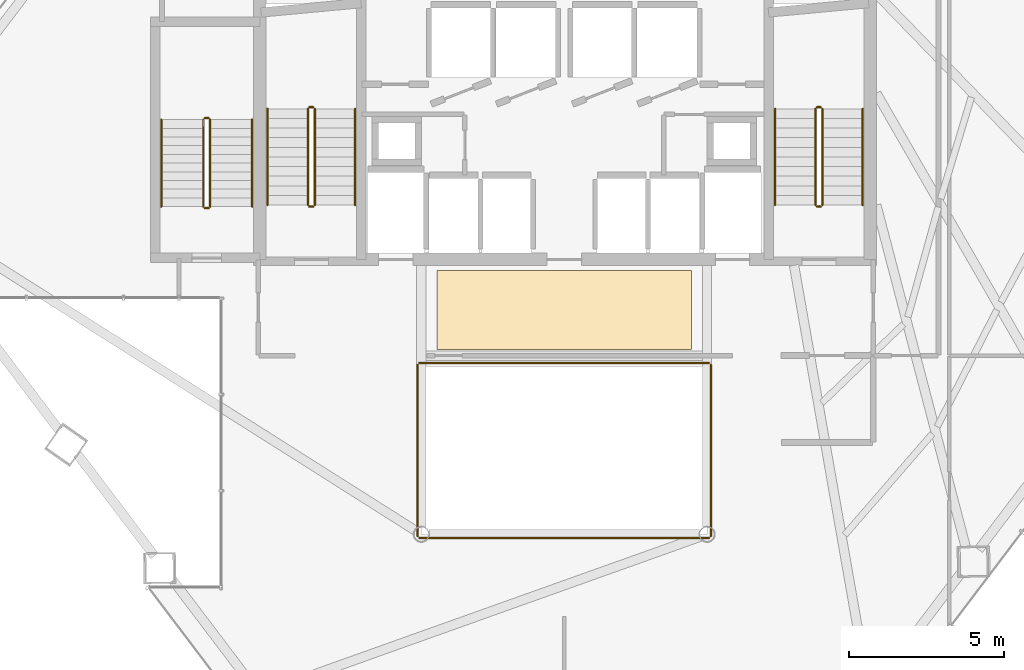
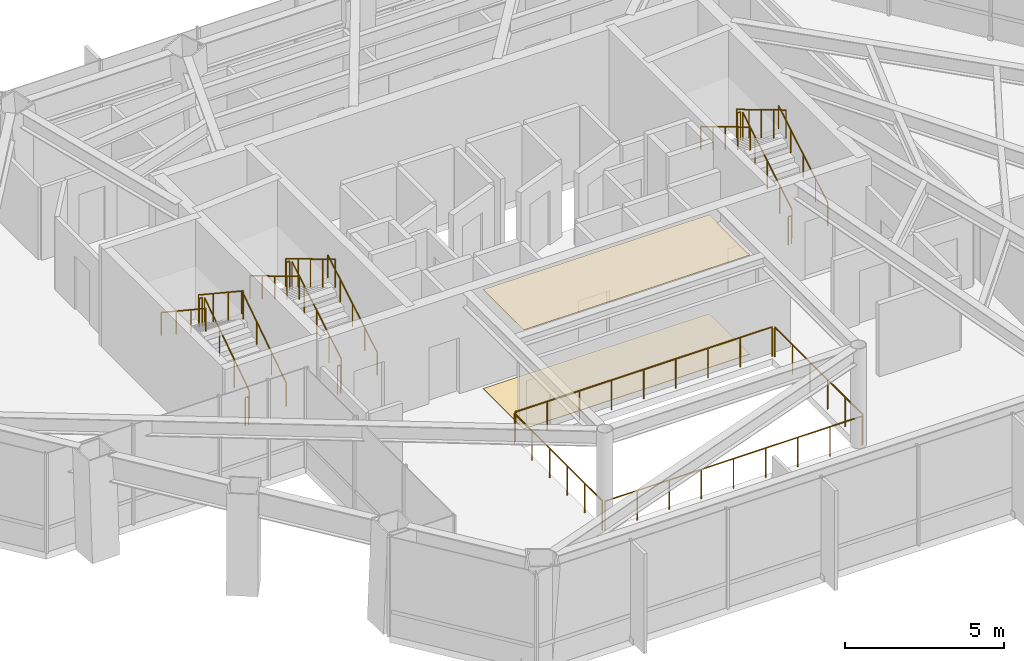
# One storey, part 24 of 24: 22 railings, 2 coverings.
"""IFC4 building model written with IfcOpenShell, lengths in metres."""

import ifcopenshell
import ifcopenshell.guid

model = None  # the IFC model being written
_history = None  # IfcOwnerHistory: only IFC2X3 demands one
_inside = {}  # id of a spatial element -> (the spatial element, [elements in it])
_under = {}  # id of a project, library or spatial element -> (it, [spatial elements below it])
_declared = {}  # id of a project -> (the project, [libraries it declares])
_typed = {}  # id of a type object -> (the type object, [elements of that type])
_made_of = {}  # id of a material, layer set ... -> (it, [elements and type objects made of it])


def new_model(schema):
    """Start an empty IFC model of exactly this schema.

    Asked for "IFC4X3", IfcOpenShell would pick the latest addendum, in which some entities
    have other attributes; the version numbers below select the first issue.
    IFC2X3 requires an IfcOwnerHistory on every rooted entity: one is made here for all.
    """
    global model, _history
    if schema == "IFC4X3":
        model = ifcopenshell.file(schema_version=(4, 3, 0, 0))
    else:
        model = ifcopenshell.file(schema=schema)
    _inside.clear()
    _under.clear()
    _declared.clear()
    _typed.clear()
    _made_of.clear()
    _history = None
    if model.schema == "IFC2X3":
        org = make("IfcOrganization", Name="unknown")
        user = make(
            "IfcPersonAndOrganization",
            ThePerson=make("IfcPerson", FamilyName="unknown"),
            TheOrganization=org,
        )
        app = make(
            "IfcApplication",
            ApplicationDeveloper=org,
            Version="unknown",
            ApplicationFullName="unknown",
            ApplicationIdentifier="unknown",
        )
        _history = make(
            "IfcOwnerHistory",
            OwningUser=user,
            OwningApplication=app,
            ChangeAction="ADDED",
            CreationDate=0,
        )
    return model


def make(cls, **values):
    """One entity of the class cls with the attributes given. An attribute that is None is left unset."""
    return model.create_entity(
        cls, **{name: value for name, value in values.items() if value is not None}
    )


def rooted(cls, **values):
    """An entity with a GlobalId (a new one), such as an element, a storey or a relation."""
    return make(cls, GlobalId=ifcopenshell.guid.new(), OwnerHistory=_history, **values)


def si_unit(unit_type, name, prefix=None):
    """IfcSIUnit, for example si_unit("LENGTHUNIT", "METRE", prefix="MILLI")."""
    return make("IfcSIUnit", UnitType=unit_type, Prefix=prefix, Name=name)


def assignment(units):
    """IfcUnitAssignment: the units of a project."""
    return None if units is None else make("IfcUnitAssignment", Units=units)


def point(xyz):
    """IfcCartesianPoint."""
    return None if xyz is None else make("IfcCartesianPoint", Coordinates=xyz)


def direction(xyz):
    """IfcDirection."""
    return None if xyz is None else make("IfcDirection", DirectionRatios=xyz)


def frame(location, z_axis=None, x_axis=None):
    """IfcAxis2Placement3D, a coordinate frame: its origin and axes. An axis left out is left unset."""
    return make(
        "IfcAxis2Placement3D",
        Location=point(location),
        Axis=direction(z_axis),
        RefDirection=direction(x_axis),
    )


def frame_2d(location, x_axis=None):
    """IfcAxis2Placement2D, a coordinate frame in the plane: its origin and x axis."""
    return make(
        "IfcAxis2Placement2D", Location=point(location), RefDirection=direction(x_axis)
    )


def origin():
    """The frame at (0, 0, 0) with its axes left unset."""
    return frame((0.0, 0.0, 0.0))


def origin_2d():
    """The frame at (0, 0) in the plane with its x axis left unset."""
    return frame_2d((0.0, 0.0))


def place(relative_to, where):
    """IfcLocalPlacement: puts the frame where relative to a parent placement (None: the world)."""
    return make(
        "IfcLocalPlacement", PlacementRelTo=relative_to, RelativePlacement=where
    )


def context(
    kind, dimensions, precision=None, world=None, true_north=None, identifier=None
):
    """IfcGeometricRepresentationContext, for example the 3D "Model" context."""
    return make(
        "IfcGeometricRepresentationContext",
        ContextIdentifier=identifier,
        ContextType=kind,
        CoordinateSpaceDimension=dimensions,
        Precision=precision,
        WorldCoordinateSystem=world,
        TrueNorth=true_north,
    )


def subcontext(parent, identifier, kind, view, scale=None):
    """IfcGeometricRepresentationSubContext, for example "Body" below "Model"."""
    return make(
        "IfcGeometricRepresentationSubContext",
        ContextIdentifier=identifier,
        ContextType=kind,
        ParentContext=parent,
        TargetScale=scale,
        TargetView=view,
    )


def project(units=None, contexts=None):
    """IfcProject with its units and contexts."""
    return rooted(
        "IfcProject",
        Name="project",
        RepresentationContexts=contexts,
        UnitsInContext=assignment(units),
    )


def spatial(cls, under=None, at=None, **own):
    """A site, building, storey or space (cls), placed at a placement, below another one or the project."""
    s = rooted(cls, ObjectPlacement=at, **own)
    if under is not None:
        _under.setdefault(under.id(), (under, []))[1].append(s)
    return s


def polyline(points):
    """IfcPolyline through the points."""
    return make("IfcPolyline", Points=[point(p) for p in points])


def profile(cls, at=None, kind="AREA", **sizes):
    """A parametric profile (cls). Its sizes go by their IFC names, for example OverallWidth=200.0."""
    return make(cls, ProfileType=kind, Position=at, **sizes)


def circle(**sizes):
    """IfcCircleProfileDef."""
    return profile("IfcCircleProfileDef", **sizes)


def outline(outer, holes=None, kind="AREA"):
    """IfcArbitraryClosedProfileDef: a profile drawn as a closed curve; with holes, ...WithVoids."""
    if holes is None:
        return make("IfcArbitraryClosedProfileDef", ProfileType=kind, OuterCurve=outer)
    return make(
        "IfcArbitraryProfileDefWithVoids",
        ProfileType=kind,
        OuterCurve=outer,
        InnerCurves=holes,
    )


def extrude(swept, where, along, depth):
    """IfcExtrudedAreaSolid: the profile swept, set in the frame where, extruded along a direction by depth."""
    return make(
        "IfcExtrudedAreaSolid",
        SweptArea=swept,
        Position=where,
        ExtrudedDirection=direction(along),
        Depth=depth,
    )


def shape(context_of_items, identifier, shape_type, items):
    """IfcShapeRepresentation: the items that make up one representation, for example the "Body"."""
    return make(
        "IfcShapeRepresentation",
        ContextOfItems=context_of_items,
        RepresentationIdentifier=identifier,
        RepresentationType=shape_type,
        Items=items,
    )


def material(Name=None, Category=None):
    """IfcMaterial."""
    return make("IfcMaterial", Name=Name, Category=Category)


def layer(
    of_material, thickness, ventilated=None, Name=None, Category=None, Priority=None
):
    """IfcMaterialLayer: one layer of a wall or slab, of a material (None: an air gap)."""
    return make(
        "IfcMaterialLayer",
        Material=of_material,
        LayerThickness=thickness,
        IsVentilated=ventilated,
        Name=Name,
        Category=Category,
        Priority=Priority,
    )


def layer_set(layers, Name=None):
    """IfcMaterialLayerSet."""
    return make("IfcMaterialLayerSet", MaterialLayers=layers, LayerSetName=Name)


def made_of(thing, what):
    """Note that an element or type object is made of a material, layer set ...; save() writes the relation."""
    if what is not None:
        _made_of.setdefault(what.id(), (what, []))[1].append(thing)
    return thing


def type_object(cls, material=None, **own):
    """A type object (cls), such as IfcWallType, which elements share."""
    return made_of(rooted(cls, **own), material)


def element(
    cls,
    number,
    at=None,
    inside=None,
    cuts=None,
    type_object=None,
    material=None,
    context=None,
    identifier="Body",
    shape_type=None,
    held_by="IfcProductDefinitionShape",
    body=None,
    shapes=None,
    **own,
):
    """One element of the class cls, such as IfcWall. Its Tag is "e" and its number.

    at: its placement. inside: the storey or other place that contains it. cuts: it is an
    opening in that element (IfcRelVoidsElement). A single representation is given by context,
    identifier, shape_type and body (its items); several are given by shapes. held_by: the class
    of the entity that holds the representations. save() writes the other relations.
    """
    e = rooted(cls, Tag="e%d" % number, ObjectPlacement=at, **own)
    if body is not None:
        shapes = [shape(context, identifier, shape_type, body)]
    if shapes is not None:
        e.Representation = make(held_by, Representations=shapes)
    if inside is not None:
        _inside.setdefault(inside.id(), (inside, []))[1].append(e)
    if cuts is not None:
        rooted(
            "IfcRelVoidsElement", RelatingBuildingElement=cuts, RelatedOpeningElement=e
        )
    if type_object is not None:
        _typed.setdefault(type_object.id(), (type_object, []))[1].append(e)
    return made_of(e, material)


def aggregate(whole, parts):
    """IfcRelAggregates: a whole, such as a stair, and the parts it consists of."""
    return rooted("IfcRelAggregates", RelatingObject=whole, RelatedObjects=parts)


def save(model, path):
    """Write the relations noted so far, then the file.

    IfcRelAggregates (storeys below a building ...), IfcRelContainedInSpatialStructure (elements
    in a storey), IfcRelDefinesByType, IfcRelAssociatesMaterial and IfcRelDeclares: one each for
    every whole, place, type object, material and project.
    """
    for whole, parts in _under.values():
        aggregate(whole, parts)
    for where, things in _inside.values():
        rooted(
            "IfcRelContainedInSpatialStructure",
            RelatedElements=things,
            RelatingStructure=where,
        )
    for kind, things in _typed.values():
        rooted("IfcRelDefinesByType", RelatedObjects=things, RelatingType=kind)
    for what, things in _made_of.values():
        rooted("IfcRelAssociatesMaterial", RelatedObjects=things, RelatingMaterial=what)
    for by, libraries in _declared.values():
        rooted("IfcRelDeclares", RelatingContext=by, RelatedDefinitions=libraries)
    model.write(path)


model = new_model("IFC4")

# Units and contexts
model_context = context("Model", 3, precision=1e-05, world=origin(), true_north=direction((0.0, 1.0)))
body_context = subcontext(model_context, "Body", "Model", "MODEL_VIEW")
ifc_project = project(units=[si_unit("LENGTHUNIT", "METRE"), si_unit("AREAUNIT", "SQUARE_METRE"), si_unit("VOLUMEUNIT", "CUBIC_METRE"), si_unit("PLANEANGLEUNIT", "RADIAN"), si_unit("MASSUNIT", "GRAM", prefix="KILO")], contexts=[model_context])

# Site, building, storey
site_placement = place(None, origin())
site = spatial("IfcSite", under=ifc_project, at=site_placement, CompositionType="ELEMENT")
building_placement = place(site_placement, origin())
building = spatial("IfcBuilding", under=site, at=building_placement, Name="Zarrinselat Tower", CompositionType="ELEMENT")
storey_placement = place(building_placement, frame((0.0, 0.0, 68.340087890625)))
storey = spatial("IfcBuildingStorey", under=building, at=storey_placement, Name="L16", CompositionType="ELEMENT", Elevation=68.340087890625)

# Coverings
ifc_material_1 = material(Name="Fire-Rated Gypsum Board Partition")
ifc_layer_1 = layer(ifc_material_1, 0.014892578125)
ifc_layer_set_1 = layer_set([ifc_layer_1], Name="Fire-Rated Gypsum Board Partition")
covering_type_1 = type_object("IfcCoveringType", Name="COV-CLG-AC15", PredefinedType="CEILING", material=ifc_layer_set_1)
covering_1_placement = place(storey_placement, frame((0.0, 0.0, 3.804931640625)))
element("IfcCovering", 1, at=covering_1_placement, inside=storey, type_object=covering_type_1, Name="L16 Lift Lobby Acoustic Ceiling", PredefinedType="CEILING", context=body_context, shape_type="SweptSolid", body=[
    extrude(outline(polyline([(34.300048828125, 30.35009765625), (42.5, 30.35009765625), (42.5, 32.89990234375), (34.300048828125, 32.89990234375), (34.300048828125, 30.35009765625)])), origin(), (0.0, 0.0, 1.0), 0.014892578125),
])
ifc_material_2 = material(Name="Honed Cream Travertine Stone", Category="masonry")
ifc_layer_2 = layer(ifc_material_2, 0.02490234375)
ifc_layer_set_2 = layer_set([ifc_layer_2], Name="Honed Cream Travertine Stone")
covering_type_2 = type_object("IfcCoveringType", Name="COV-FLR-ST25", PredefinedType="FLOORING", material=ifc_layer_set_2)
covering_2_placement = place(storey_placement, origin())
element("IfcCovering", 2, at=covering_2_placement, inside=storey, type_object=covering_type_2, Name="L16 Lift Lobby Stone Flooring", PredefinedType="FLOORING", context=body_context, shape_type="SweptSolid", body=[
    extrude(outline(polyline([(34.300048828125, 30.35009765625), (42.5, 30.35009765625), (42.5, 32.89990234375), (34.300048828125, 32.89990234375), (34.300048828125, 30.35009765625)])), origin(), (0.0, 0.0, 1.0), 0.02490234375),
])

# Railings
ifc_material_3 = material(Name="Double Low-E Laminated Solar Glass", Category="glass")
railing_type_1 = type_object("IfcRailingType", Name="RLG-ATRIUM-BAL", PredefinedType="BALUSTRADE", material=ifc_material_3)
railing_1_placement = place(storey_placement, frame((33.739990234375, 24.280029296875, 0.0)))
element("IfcRailing", 3, at=railing_1_placement, inside=storey, type_object=railing_type_1, Name="L16 Atrium Void Glass Balustrade S", PredefinedType="BALUSTRADE", context=body_context, shape_type="SweptSolid", body=[
    extrude(circle(Radius=0.02392578125, at=origin_2d()), frame((0.0, 0.0, 1.1259765625), z_axis=(1.0, 0.0, 0.0), x_axis=(0.0, 1.0, 0.0)), (0.0, 0.0, 1.0), 9.320068359375),
    extrude(circle(Radius=0.02099609375, at=origin_2d()), origin(), (0.0, 0.0, 1.0), 1.099853515625),
    extrude(circle(Radius=0.02099609375, at=origin_2d()), frame((1.1650390625, 0.0, 0.0)), (0.0, 0.0, 1.0), 1.099853515625),
    extrude(circle(Radius=0.02099609375, at=origin_2d()), frame((2.330078125, 0.0, 0.0)), (0.0, 0.0, 1.0), 1.099853515625),
    extrude(circle(Radius=0.02099609375, at=origin_2d()), frame((3.4951171875, 0.0, 0.0)), (0.0, 0.0, 1.0), 1.099853515625),
    extrude(circle(Radius=0.02099609375, at=origin_2d()), frame((4.66015625, 0.0, 0.0)), (0.0, 0.0, 1.0), 1.099853515625),
    extrude(circle(Radius=0.02099609375, at=origin_2d()), frame((5.824951171875, 0.0, 0.0)), (0.0, 0.0, 1.0), 1.099853515625),
    extrude(circle(Radius=0.02099609375, at=origin_2d()), frame((6.989990234375, 0.0, 0.0)), (0.0, 0.0, 1.0), 1.099853515625),
    extrude(circle(Radius=0.02099609375, at=origin_2d()), frame((8.155029296875, 0.0, 0.0)), (0.0, 0.0, 1.0), 1.099853515625),
    extrude(circle(Radius=0.02099609375, at=origin_2d()), frame((9.320068359375, 0.0, 0.0)), (0.0, 0.0, 1.0), 1.099853515625),
])
railing_2_placement = place(storey_placement, frame((43.1201171875, 24.340087890625, 0.0)))
element("IfcRailing", 4, at=railing_2_placement, inside=storey, type_object=railing_type_1, Name="L16 Atrium Void Glass Balustrade E", PredefinedType="BALUSTRADE", context=body_context, shape_type="SweptSolid", body=[
    extrude(circle(Radius=0.02392578125, at=origin_2d()), frame((0.0, 0.0, 1.1259765625), z_axis=(0.0, 1.0, 0.0), x_axis=(-1.0, 0.0, 0.0)), (0.0, 0.0, 1.0), 5.52001953125),
    extrude(circle(Radius=0.02099609375, at=origin_2d()), origin(), (0.0, 0.0, 1.0), 1.099853515625),
    extrude(circle(Radius=0.02099609375, at=origin_2d()), frame((0.0, 1.10400390625, 0.0)), (0.0, 0.0, 1.0), 1.099853515625),
    extrude(circle(Radius=0.02099609375, at=origin_2d()), frame((0.0, 2.2080078125, 0.0)), (0.0, 0.0, 1.0), 1.099853515625),
    extrude(circle(Radius=0.02099609375, at=origin_2d()), frame((0.0, 3.31201171875, 0.0)), (0.0, 0.0, 1.0), 1.099853515625),
    extrude(circle(Radius=0.02099609375, at=origin_2d()), frame((0.0, 4.416015625, 0.0)), (0.0, 0.0, 1.0), 1.099853515625),
    extrude(circle(Radius=0.02099609375, at=origin_2d()), frame((0.0, 5.52001953125, 0.0)), (0.0, 0.0, 1.0), 1.099853515625),
])
railing_3_placement = place(storey_placement, frame((43.06005859375, 29.919921875, 0.0)))
element("IfcRailing", 5, at=railing_3_placement, inside=storey, type_object=railing_type_1, Name="L16 Atrium Void Glass Balustrade N", PredefinedType="BALUSTRADE", context=body_context, shape_type="SweptSolid", body=[
    extrude(circle(Radius=0.02392578125, at=origin_2d()), frame((0.0, 0.0, 1.1259765625), z_axis=(-1.0, 0.0, 0.0), x_axis=(0.0, -1.0, 0.0)), (0.0, 0.0, 1.0), 9.320068359375),
    extrude(circle(Radius=0.02099609375, at=origin_2d()), origin(), (0.0, 0.0, 1.0), 1.099853515625),
    extrude(circle(Radius=0.02099609375, at=origin_2d()), frame((-1.1650390625, 0.0, 0.0)), (0.0, 0.0, 1.0), 1.099853515625),
    extrude(circle(Radius=0.02099609375, at=origin_2d()), frame((-2.330078125, 0.0, 0.0)), (0.0, 0.0, 1.0), 1.099853515625),
    extrude(circle(Radius=0.02099609375, at=origin_2d()), frame((-3.4951171875, 0.0, 0.0)), (0.0, 0.0, 1.0), 1.099853515625),
    extrude(circle(Radius=0.02099609375, at=origin_2d()), frame((-4.66015625, 0.0, 0.0)), (0.0, 0.0, 1.0), 1.099853515625),
    extrude(circle(Radius=0.02099609375, at=origin_2d()), frame((-5.824951171875, 0.0, 0.0)), (0.0, 0.0, 1.0), 1.099853515625),
    extrude(circle(Radius=0.02099609375, at=origin_2d()), frame((-6.989990234375, 0.0, 0.0)), (0.0, 0.0, 1.0), 1.099853515625),
    extrude(circle(Radius=0.02099609375, at=origin_2d()), frame((-8.155029296875, 0.0, 0.0)), (0.0, 0.0, 1.0), 1.099853515625),
    extrude(circle(Radius=0.02099609375, at=origin_2d()), frame((-9.320068359375, 0.0, 0.0)), (0.0, 0.0, 1.0), 1.099853515625),
])
railing_4_placement = place(storey_placement, frame((33.679931640625, 29.860107421875, 0.0)))
element("IfcRailing", 6, at=railing_4_placement, inside=storey, type_object=railing_type_1, Name="L16 Atrium Void Glass Balustrade W", PredefinedType="BALUSTRADE", context=body_context, shape_type="SweptSolid", body=[
    extrude(circle(Radius=0.02392578125, at=origin_2d()), frame((0.0, 0.0, 1.1259765625), z_axis=(0.0, -1.0, 0.0), x_axis=(1.0, 0.0, 0.0)), (0.0, 0.0, 1.0), 5.52001953125),
    extrude(circle(Radius=0.02099609375, at=origin_2d()), origin(), (0.0, 0.0, 1.0), 1.099853515625),
    extrude(circle(Radius=0.02099609375, at=origin_2d()), frame((0.0, -1.10400390625, 0.0)), (0.0, 0.0, 1.0), 1.099853515625),
    extrude(circle(Radius=0.02099609375, at=origin_2d()), frame((0.0, -2.2080078125, 0.0)), (0.0, 0.0, 1.0), 1.099853515625),
    extrude(circle(Radius=0.02099609375, at=origin_2d()), frame((0.0, -3.31201171875, 0.0)), (0.0, 0.0, 1.0), 1.099853515625),
    extrude(circle(Radius=0.02099609375, at=origin_2d()), frame((0.0, -4.416015625, 0.0)), (0.0, 0.0, 1.0), 1.099853515625),
    extrude(circle(Radius=0.02099609375, at=origin_2d()), frame((0.0, -5.52001953125, 0.0)), (0.0, 0.0, 1.0), 1.099853515625),
])
ifc_material_4 = material(Name="Steel S355J2", Category="steel")
railing_type_2 = type_object("IfcRailingType", Name="RLG-STAIR-GUARD", PredefinedType="GUARDRAIL", material=ifc_material_4)
railing_5_placement = place(storey_placement, frame((30.3701171875, 35.0, 0.185302734375)))
element("IfcRailing", 7, at=railing_5_placement, inside=storey, type_object=railing_type_2, Name="L16 ST-1 stair guard 1", PredefinedType="GUARDRAIL", context=body_context, shape_type="SweptSolid", body=[
    extrude(circle(Radius=0.02392578125, at=origin_2d()), frame((0.0, 0.0, 1.076171875), z_axis=(0.0, 0.858171985069, 0.513362293163), x_axis=(-1.0, 0.0, 0.0)), (0.0, 0.0, 1.0), 3.612548828125),
    extrude(circle(Radius=0.02099609375, at=origin_2d()), origin(), (0.0, 0.0, 1.0), 1.050048828125),
    extrude(circle(Radius=0.02099609375, at=origin_2d()), frame((0.0, 0.77490234375, 0.463623046875)), (0.0, 0.0, 1.0), 1.050048828125),
    extrude(circle(Radius=0.02099609375, at=origin_2d()), frame((0.0, 1.550048828125, 0.92724609375)), (0.0, 0.0, 1.0), 1.050048828125),
    extrude(circle(Radius=0.02099609375, at=origin_2d()), frame((0.0, 2.3251953125, 1.390869140625)), (0.0, 0.0, 1.0), 1.050048828125),
    extrude(circle(Radius=0.02099609375, at=origin_2d()), frame((0.0, 3.10009765625, 1.8544921875)), (0.0, 0.0, 1.0), 1.050048828125),
])
railing_6_placement = place(storey_placement, frame((30.320068359375, 38.14990234375, 2.039794921875)))
element("IfcRailing", 8, at=railing_6_placement, inside=storey, type_object=railing_type_2, Name="L16 ST-1 stair guard 2", PredefinedType="GUARDRAIL", context=body_context, shape_type="SweptSolid", body=[
    extrude(circle(Radius=0.02392578125, at=origin_2d()), frame((0.0, 0.0, 1.076171875), z_axis=(-1.0, 0.0, 0.0), x_axis=(0.0, -1.0, 0.0)), (0.0, 0.0, 1.0), 0.1201171875),
    extrude(circle(Radius=0.02099609375, at=origin_2d()), origin(), (0.0, 0.0, 1.0), 1.050048828125),
    extrude(circle(Radius=0.02099609375, at=origin_2d()), frame((-0.1201171875, 0.0, 0.0)), (0.0, 0.0, 1.0), 1.050048828125),
])
railing_7_placement = place(storey_placement, frame((30.14990234375, 38.10009765625, 2.225341796875)))
element("IfcRailing", 9, at=railing_7_placement, inside=storey, type_object=railing_type_2, Name="L16 ST-1 stair guard 3", PredefinedType="GUARDRAIL", context=body_context, shape_type="SweptSolid", body=[
    extrude(circle(Radius=0.02392578125, at=origin_2d()), frame((0.0, 0.0, 1.076171875), z_axis=(0.0, -0.858171985069, 0.513362293163), x_axis=(1.0, 0.0, 0.0)), (0.0, 0.0, 1.0), 3.612548828125),
    extrude(circle(Radius=0.02099609375, at=origin_2d()), origin(), (0.0, 0.0, 1.0), 1.050048828125),
    extrude(circle(Radius=0.02099609375, at=origin_2d()), frame((0.0, -0.77490234375, 0.463623046875)), (0.0, 0.0, 1.0), 1.050048828125),
    extrude(circle(Radius=0.02099609375, at=origin_2d()), frame((0.0, -1.550048828125, 0.92724609375)), (0.0, 0.0, 1.0), 1.050048828125),
    extrude(circle(Radius=0.02099609375, at=origin_2d()), frame((0.0, -2.3251953125, 1.390869140625)), (0.0, 0.0, 1.0), 1.050048828125),
    extrude(circle(Radius=0.02099609375, at=origin_2d()), frame((0.0, -3.10009765625, 1.8544921875)), (0.0, 0.0, 1.0), 1.050048828125),
])
railing_8_placement = place(storey_placement, frame((30.320068359375, 34.949951171875, 0.0)))
element("IfcRailing", 10, at=railing_8_placement, inside=storey, type_object=railing_type_2, Name="L16 ST-1 stair guard 4", PredefinedType="GUARDRAIL", context=body_context, shape_type="SweptSolid", body=[
    extrude(circle(Radius=0.02392578125, at=origin_2d()), frame((0.0, 0.0, 1.076171875), z_axis=(-1.0, 0.0, 0.0), x_axis=(0.0, -1.0, 0.0)), (0.0, 0.0, 1.0), 0.1201171875),
    extrude(circle(Radius=0.02099609375, at=origin_2d()), origin(), (0.0, 0.0, 1.0), 1.050048828125),
    extrude(circle(Radius=0.02099609375, at=origin_2d()), frame((-0.1201171875, 0.0, 0.0)), (0.0, 0.0, 1.0), 1.050048828125),
])
railing_9_placement = place(storey_placement, frame((46.7099609375, 35.0, 0.185302734375)))
element("IfcRailing", 11, at=railing_9_placement, inside=storey, type_object=railing_type_2, Name="L16 ST-2 stair guard 1", PredefinedType="GUARDRAIL", context=body_context, shape_type="SweptSolid", body=[
    extrude(circle(Radius=0.02392578125, at=origin_2d()), frame((0.0, 0.0, 1.076171875), z_axis=(0.0, 0.858171985069, 0.513362293163), x_axis=(-1.0, 0.0, 0.0)), (0.0, 0.0, 1.0), 3.612548828125),
    extrude(circle(Radius=0.02099609375, at=origin_2d()), origin(), (0.0, 0.0, 1.0), 1.050048828125),
    extrude(circle(Radius=0.02099609375, at=origin_2d()), frame((0.0, 0.77490234375, 0.463623046875)), (0.0, 0.0, 1.0), 1.050048828125),
    extrude(circle(Radius=0.02099609375, at=origin_2d()), frame((0.0, 1.550048828125, 0.92724609375)), (0.0, 0.0, 1.0), 1.050048828125),
    extrude(circle(Radius=0.02099609375, at=origin_2d()), frame((0.0, 2.3251953125, 1.390869140625)), (0.0, 0.0, 1.0), 1.050048828125),
    extrude(circle(Radius=0.02099609375, at=origin_2d()), frame((0.0, 3.10009765625, 1.8544921875)), (0.0, 0.0, 1.0), 1.050048828125),
])
railing_10_placement = place(storey_placement, frame((46.659912109375, 38.14990234375, 2.039794921875)))
element("IfcRailing", 12, at=railing_10_placement, inside=storey, type_object=railing_type_2, Name="L16 ST-2 stair guard 2", PredefinedType="GUARDRAIL", context=body_context, shape_type="SweptSolid", body=[
    extrude(circle(Radius=0.02392578125, at=origin_2d()), frame((0.0, 0.0, 1.076171875), z_axis=(-1.0, 0.0, 0.0), x_axis=(0.0, -1.0, 0.0)), (0.0, 0.0, 1.0), 0.119873046875),
    extrude(circle(Radius=0.02099609375, at=origin_2d()), origin(), (0.0, 0.0, 1.0), 1.050048828125),
    extrude(circle(Radius=0.02099609375, at=origin_2d()), frame((-0.119873046875, 0.0, 0.0)), (0.0, 0.0, 1.0), 1.050048828125),
])
railing_11_placement = place(storey_placement, frame((46.489990234375, 38.10009765625, 2.225341796875)))
element("IfcRailing", 13, at=railing_11_placement, inside=storey, type_object=railing_type_2, Name="L16 ST-2 stair guard 3", PredefinedType="GUARDRAIL", context=body_context, shape_type="SweptSolid", body=[
    extrude(circle(Radius=0.02392578125, at=origin_2d()), frame((0.0, 0.0, 1.076171875), z_axis=(0.0, -0.858171985069, 0.513362293163), x_axis=(1.0, 0.0, 0.0)), (0.0, 0.0, 1.0), 3.612548828125),
    extrude(circle(Radius=0.02099609375, at=origin_2d()), origin(), (0.0, 0.0, 1.0), 1.050048828125),
    extrude(circle(Radius=0.02099609375, at=origin_2d()), frame((0.0, -0.77490234375, 0.463623046875)), (0.0, 0.0, 1.0), 1.050048828125),
    extrude(circle(Radius=0.02099609375, at=origin_2d()), frame((0.0, -1.550048828125, 0.92724609375)), (0.0, 0.0, 1.0), 1.050048828125),
    extrude(circle(Radius=0.02099609375, at=origin_2d()), frame((0.0, -2.3251953125, 1.390869140625)), (0.0, 0.0, 1.0), 1.050048828125),
    extrude(circle(Radius=0.02099609375, at=origin_2d()), frame((0.0, -3.10009765625, 1.8544921875)), (0.0, 0.0, 1.0), 1.050048828125),
])
railing_12_placement = place(storey_placement, frame((46.659912109375, 34.949951171875, 0.0)))
element("IfcRailing", 14, at=railing_12_placement, inside=storey, type_object=railing_type_2, Name="L16 ST-2 stair guard 4", PredefinedType="GUARDRAIL", context=body_context, shape_type="SweptSolid", body=[
    extrude(circle(Radius=0.02392578125, at=origin_2d()), frame((0.0, 0.0, 1.076171875), z_axis=(-1.0, 0.0, 0.0), x_axis=(0.0, -1.0, 0.0)), (0.0, 0.0, 1.0), 0.119873046875),
    extrude(circle(Radius=0.02099609375, at=origin_2d()), origin(), (0.0, 0.0, 1.0), 1.050048828125),
    extrude(circle(Radius=0.02099609375, at=origin_2d()), frame((-0.119873046875, 0.0, 0.0)), (0.0, 0.0, 1.0), 1.050048828125),
])
railing_13_placement = place(storey_placement, frame((27.0, 34.949951171875, 0.185302734375)))
element("IfcRailing", 15, at=railing_13_placement, inside=storey, type_object=railing_type_2, Name="L16 ST-3 stair guard 1", PredefinedType="GUARDRAIL", context=body_context, shape_type="SweptSolid", body=[
    extrude(circle(Radius=0.02392578125, at=origin_2d()), frame((0.0, 0.0, 1.076171875), z_axis=(0.0, 0.833724036255, 0.552181339209), x_axis=(-1.0, 0.0, 0.0)), (0.0, 0.0, 1.0), 3.3583984375),
    extrude(circle(Radius=0.02099609375, at=origin_2d()), origin(), (0.0, 0.0, 1.0), 1.050048828125),
    extrude(circle(Radius=0.02099609375, at=origin_2d()), frame((0.0, 0.933349609375, 0.6181640625)), (0.0, 0.0, 1.0), 1.050048828125),
    extrude(circle(Radius=0.02099609375, at=origin_2d()), frame((0.0, 1.86669921875, 1.236328125)), (0.0, 0.0, 1.0), 1.050048828125),
    extrude(circle(Radius=0.02099609375, at=origin_2d()), frame((0.0, 2.800048828125, 1.8544921875)), (0.0, 0.0, 1.0), 1.050048828125),
])
railing_14_placement = place(storey_placement, frame((26.949951171875, 37.800048828125, 2.039794921875)))
element("IfcRailing", 16, at=railing_14_placement, inside=storey, type_object=railing_type_2, Name="L16 ST-3 stair guard 2", PredefinedType="GUARDRAIL", context=body_context, shape_type="SweptSolid", body=[
    extrude(circle(Radius=0.02392578125, at=origin_2d()), frame((0.0, 0.0, 1.076171875), z_axis=(-1.0, 0.0, 0.0), x_axis=(0.0, -1.0, 0.0)), (0.0, 0.0, 1.0), 0.119873046875),
    extrude(circle(Radius=0.02099609375, at=origin_2d()), origin(), (0.0, 0.0, 1.0), 1.050048828125),
    extrude(circle(Radius=0.02099609375, at=origin_2d()), frame((-0.119873046875, 0.0, 0.0)), (0.0, 0.0, 1.0), 1.050048828125),
])
railing_15_placement = place(storey_placement, frame((26.780029296875, 37.75, 2.225341796875)))
element("IfcRailing", 17, at=railing_15_placement, inside=storey, type_object=railing_type_2, Name="L16 ST-3 stair guard 3", PredefinedType="GUARDRAIL", context=body_context, shape_type="SweptSolid", body=[
    extrude(circle(Radius=0.02392578125, at=origin_2d()), frame((0.0, 0.0, 1.076171875), z_axis=(0.0, -0.833724036255, 0.552181339209), x_axis=(1.0, 0.0, 0.0)), (0.0, 0.0, 1.0), 3.3583984375),
    extrude(circle(Radius=0.02099609375, at=origin_2d()), origin(), (0.0, 0.0, 1.0), 1.050048828125),
    extrude(circle(Radius=0.02099609375, at=origin_2d()), frame((0.0, -0.933349609375, 0.6181640625)), (0.0, 0.0, 1.0), 1.050048828125),
    extrude(circle(Radius=0.02099609375, at=origin_2d()), frame((0.0, -1.86669921875, 1.236328125)), (0.0, 0.0, 1.0), 1.050048828125),
    extrude(circle(Radius=0.02099609375, at=origin_2d()), frame((0.0, -2.800048828125, 1.8544921875)), (0.0, 0.0, 1.0), 1.050048828125),
])
railing_16_placement = place(storey_placement, frame((26.949951171875, 34.89990234375, 0.0)))
element("IfcRailing", 18, at=railing_16_placement, inside=storey, type_object=railing_type_2, Name="L16 ST-3 stair guard 4", PredefinedType="GUARDRAIL", context=body_context, shape_type="SweptSolid", body=[
    extrude(circle(Radius=0.02392578125, at=origin_2d()), frame((0.0, 0.0, 1.076171875), z_axis=(-1.0, 0.0, 0.0), x_axis=(0.0, -1.0, 0.0)), (0.0, 0.0, 1.0), 0.119873046875),
    extrude(circle(Radius=0.02099609375, at=origin_2d()), origin(), (0.0, 0.0, 1.0), 1.050048828125),
    extrude(circle(Radius=0.02099609375, at=origin_2d()), frame((-0.119873046875, 0.0, 0.0)), (0.0, 0.0, 1.0), 1.050048828125),
])
ifc_material_5 = material(Name="Steel S355J2", Category="steel")
railing_type_3 = type_object("IfcRailingType", Name="RLG-STAIR-HAND", PredefinedType="HANDRAIL", material=ifc_material_5)
railing_17_placement = place(storey_placement, frame((31.669921875, 35.0, 0.185302734375)))
element("IfcRailing", 19, at=railing_17_placement, inside=storey, type_object=railing_type_3, Name="L16 ST-1 stair handrail 1", PredefinedType="HANDRAIL", context=body_context, shape_type="SweptSolid", body=[
    extrude(circle(Radius=0.02392578125, at=origin_2d()), frame((0.0, 0.0, 0.8759765625), z_axis=(0.0, 0.858171985069, 0.513362293163), x_axis=(-1.0, 0.0, 0.0)), (0.0, 0.0, 1.0), 3.612548828125),
    extrude(circle(Radius=0.02099609375, at=origin_2d()), origin(), (0.0, 0.0, 1.0), 0.849853515625),
    extrude(circle(Radius=0.02099609375, at=origin_2d()), frame((0.0, 0.77490234375, 0.463623046875)), (0.0, 0.0, 1.0), 0.849853515625),
    extrude(circle(Radius=0.02099609375, at=origin_2d()), frame((0.0, 1.550048828125, 0.92724609375)), (0.0, 0.0, 1.0), 0.849853515625),
    extrude(circle(Radius=0.02099609375, at=origin_2d()), frame((0.0, 2.3251953125, 1.390869140625)), (0.0, 0.0, 1.0), 0.849853515625),
    extrude(circle(Radius=0.02099609375, at=origin_2d()), frame((0.0, 3.10009765625, 1.8544921875)), (0.0, 0.0, 1.0), 0.849853515625),
])
railing_18_placement = place(storey_placement, frame((28.85009765625, 38.10009765625, 2.225341796875)))
element("IfcRailing", 20, at=railing_18_placement, inside=storey, type_object=railing_type_3, Name="L16 ST-1 stair handrail 2", PredefinedType="HANDRAIL", context=body_context, shape_type="SweptSolid", body=[
    extrude(circle(Radius=0.02392578125, at=origin_2d()), frame((0.0, 0.0, 0.8759765625), z_axis=(0.0, -0.858171985069, 0.513362293163), x_axis=(1.0, 0.0, 0.0)), (0.0, 0.0, 1.0), 3.612548828125),
    extrude(circle(Radius=0.02099609375, at=origin_2d()), origin(), (0.0, 0.0, 1.0), 0.849853515625),
    extrude(circle(Radius=0.02099609375, at=origin_2d()), frame((0.0, -0.77490234375, 0.463623046875)), (0.0, 0.0, 1.0), 0.849853515625),
    extrude(circle(Radius=0.02099609375, at=origin_2d()), frame((0.0, -1.550048828125, 0.92724609375)), (0.0, 0.0, 1.0), 0.849853515625),
    extrude(circle(Radius=0.02099609375, at=origin_2d()), frame((0.0, -2.3251953125, 1.390869140625)), (0.0, 0.0, 1.0), 0.849853515625),
    extrude(circle(Radius=0.02099609375, at=origin_2d()), frame((0.0, -3.10009765625, 1.8544921875)), (0.0, 0.0, 1.0), 0.849853515625),
])
railing_19_placement = place(storey_placement, frame((48.010009765625, 35.0, 0.185302734375)))
element("IfcRailing", 21, at=railing_19_placement, inside=storey, type_object=railing_type_3, Name="L16 ST-2 stair handrail 1", PredefinedType="HANDRAIL", context=body_context, shape_type="SweptSolid", body=[
    extrude(circle(Radius=0.02392578125, at=origin_2d()), frame((0.0, 0.0, 0.8759765625), z_axis=(0.0, 0.858171985069, 0.513362293163), x_axis=(-1.0, 0.0, 0.0)), (0.0, 0.0, 1.0), 3.612548828125),
    extrude(circle(Radius=0.02099609375, at=origin_2d()), origin(), (0.0, 0.0, 1.0), 0.849853515625),
    extrude(circle(Radius=0.02099609375, at=origin_2d()), frame((0.0, 0.77490234375, 0.463623046875)), (0.0, 0.0, 1.0), 0.849853515625),
    extrude(circle(Radius=0.02099609375, at=origin_2d()), frame((0.0, 1.550048828125, 0.92724609375)), (0.0, 0.0, 1.0), 0.849853515625),
    extrude(circle(Radius=0.02099609375, at=origin_2d()), frame((0.0, 2.3251953125, 1.390869140625)), (0.0, 0.0, 1.0), 0.849853515625),
    extrude(circle(Radius=0.02099609375, at=origin_2d()), frame((0.0, 3.10009765625, 1.8544921875)), (0.0, 0.0, 1.0), 0.849853515625),
])
railing_20_placement = place(storey_placement, frame((45.18994140625, 38.10009765625, 2.225341796875)))
element("IfcRailing", 22, at=railing_20_placement, inside=storey, type_object=railing_type_3, Name="L16 ST-2 stair handrail 2", PredefinedType="HANDRAIL", context=body_context, shape_type="SweptSolid", body=[
    extrude(circle(Radius=0.02392578125, at=origin_2d()), frame((0.0, 0.0, 0.8759765625), z_axis=(0.0, -0.858171985069, 0.513362293163), x_axis=(1.0, 0.0, 0.0)), (0.0, 0.0, 1.0), 3.612548828125),
    extrude(circle(Radius=0.02099609375, at=origin_2d()), origin(), (0.0, 0.0, 1.0), 0.849853515625),
    extrude(circle(Radius=0.02099609375, at=origin_2d()), frame((0.0, -0.77490234375, 0.463623046875)), (0.0, 0.0, 1.0), 0.849853515625),
    extrude(circle(Radius=0.02099609375, at=origin_2d()), frame((0.0, -1.550048828125, 0.92724609375)), (0.0, 0.0, 1.0), 0.849853515625),
    extrude(circle(Radius=0.02099609375, at=origin_2d()), frame((0.0, -2.3251953125, 1.390869140625)), (0.0, 0.0, 1.0), 0.849853515625),
    extrude(circle(Radius=0.02099609375, at=origin_2d()), frame((0.0, -3.10009765625, 1.8544921875)), (0.0, 0.0, 1.0), 0.849853515625),
])
railing_21_placement = place(storey_placement, frame((28.35009765625, 34.949951171875, 0.185302734375)))
element("IfcRailing", 23, at=railing_21_placement, inside=storey, type_object=railing_type_3, Name="L16 ST-3 stair handrail 1", PredefinedType="HANDRAIL", context=body_context, shape_type="SweptSolid", body=[
    extrude(circle(Radius=0.02392578125, at=origin_2d()), frame((0.0, 0.0, 0.8759765625), z_axis=(0.0, 0.833724036255, 0.552181339209), x_axis=(-1.0, 0.0, 0.0)), (0.0, 0.0, 1.0), 3.3583984375),
    extrude(circle(Radius=0.02099609375, at=origin_2d()), origin(), (0.0, 0.0, 1.0), 0.849853515625),
    extrude(circle(Radius=0.02099609375, at=origin_2d()), frame((0.0, 0.933349609375, 0.6181640625)), (0.0, 0.0, 1.0), 0.849853515625),
    extrude(circle(Radius=0.02099609375, at=origin_2d()), frame((0.0, 1.86669921875, 1.236328125)), (0.0, 0.0, 1.0), 0.849853515625),
    extrude(circle(Radius=0.02099609375, at=origin_2d()), frame((0.0, 2.800048828125, 1.8544921875)), (0.0, 0.0, 1.0), 0.849853515625),
])
railing_22_placement = place(storey_placement, frame((25.429931640625, 37.75, 2.225341796875)))
element("IfcRailing", 24, at=railing_22_placement, inside=storey, type_object=railing_type_3, Name="L16 ST-3 stair handrail 2", PredefinedType="HANDRAIL", context=body_context, shape_type="SweptSolid", body=[
    extrude(circle(Radius=0.02392578125, at=origin_2d()), frame((0.0, 0.0, 0.8759765625), z_axis=(0.0, -0.833724036255, 0.552181339209), x_axis=(1.0, 0.0, 0.0)), (0.0, 0.0, 1.0), 3.3583984375),
    extrude(circle(Radius=0.02099609375, at=origin_2d()), origin(), (0.0, 0.0, 1.0), 0.849853515625),
    extrude(circle(Radius=0.02099609375, at=origin_2d()), frame((0.0, -0.933349609375, 0.6181640625)), (0.0, 0.0, 1.0), 0.849853515625),
    extrude(circle(Radius=0.02099609375, at=origin_2d()), frame((0.0, -1.86669921875, 1.236328125)), (0.0, 0.0, 1.0), 0.849853515625),
    extrude(circle(Radius=0.02099609375, at=origin_2d()), frame((0.0, -2.800048828125, 1.8544921875)), (0.0, 0.0, 1.0), 0.849853515625),
])

save(model, "model.ifc")
